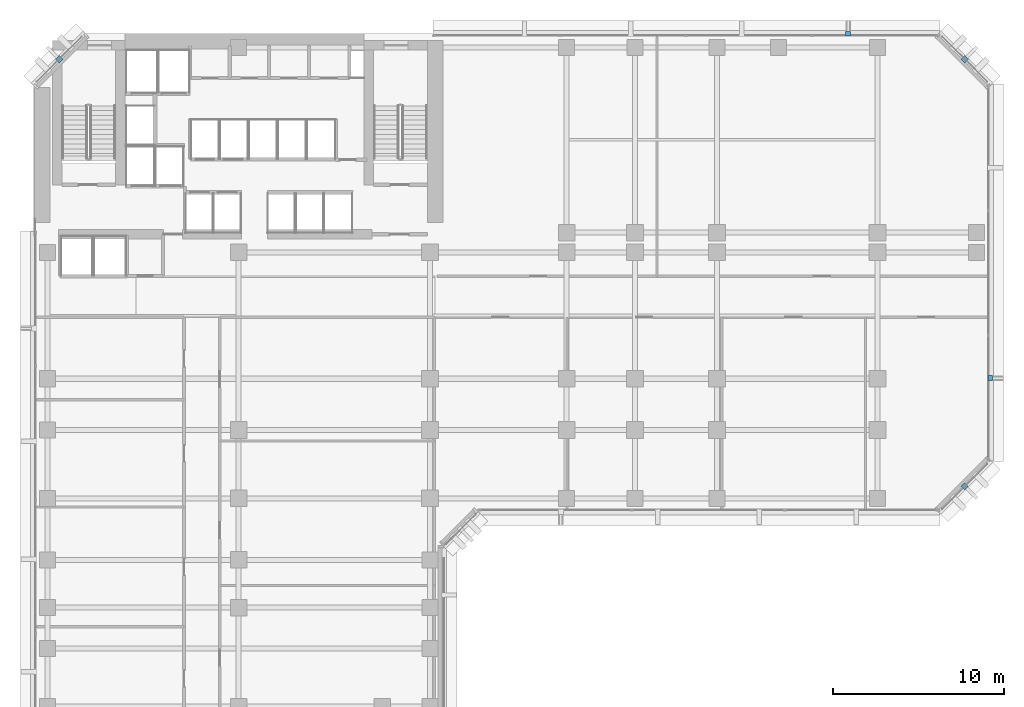
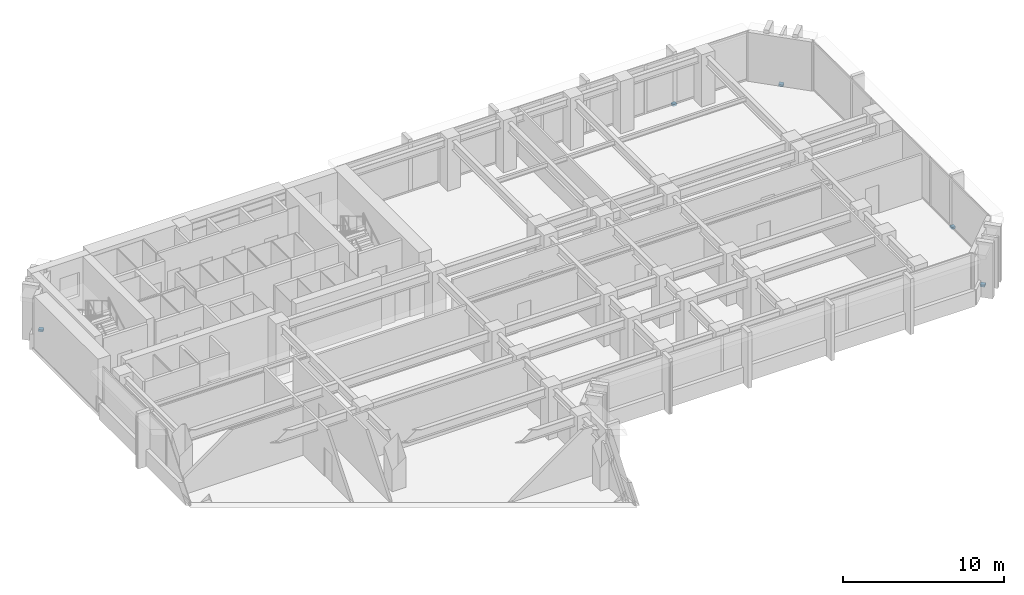
# One storey, part 9 of 14: 5 discrete accessories.
"""IFC4 building model written with IfcOpenShell, lengths in metres."""

from ifc_helpers import new_model, si_unit, direction, frame, origin, origin_2d, place, context, subcontext, project, spatial, rectangle, extrude, material, layer, layer_set, type_object, element, save


model = new_model("IFC4")

# Units and contexts
model_context = context("Model", 3, precision=1e-05, world=origin(), true_north=direction((0.0, 1.0)))
body_context = subcontext(model_context, "Body", "Model", "MODEL_VIEW")
ifc_project = project(units=[si_unit("LENGTHUNIT", "METRE"), si_unit("AREAUNIT", "SQUARE_METRE"), si_unit("VOLUMEUNIT", "CUBIC_METRE"), si_unit("PLANEANGLEUNIT", "RADIAN"), si_unit("MASSUNIT", "GRAM", prefix="KILO")], contexts=[model_context])

# Site, building, storey
site_placement = place(None, origin())
site = spatial("IfcSite", under=ifc_project, at=site_placement, CompositionType="ELEMENT")
building_placement = place(site_placement, origin())
building = spatial("IfcBuilding", under=site, at=building_placement, Name="Kefirva Bronze Tower", CompositionType="ELEMENT")
storey_placement = place(building_placement, frame((0.0, 0.0, 50.159912109375)))
storey = spatial("IfcBuildingStorey", under=building, at=storey_placement, Name="L11", CompositionType="ELEMENT", Elevation=50.159912109375)

# Discrete accessories
ifc_material = material(Name="Stainless steel 316", Category="steel")
ifc_layer = layer(ifc_material, 0.159912109375, Name="Stainless steel 316")
ifc_layer_set = layer_set([ifc_layer], Name="Stainless steel 316")
discrete_accessory_type = type_object("IfcDiscreteAccessoryType", Name="Stainless Facade Outrigger Bracket", PredefinedType="BRACKET", material=ifc_layer_set)
discrete_accessory_1_placement = place(storey_placement, frame((54.5, 19.5, -0.15966796875), z_axis=(0.0, 0.0, 1.0), x_axis=(0.707106781187, 0.707106781187, 0.0)))
element("IfcDiscreteAccessory", 1, at=discrete_accessory_1_placement, inside=storey, type_object=discrete_accessory_type, Name="L11 Corner Fin Outrigger Bracket 14", PredefinedType="BRACKET", context=body_context, shape_type="SweptSolid", body=[
    extrude(rectangle(XDim=0.300048828125, YDim=0.300048828125, at=origin_2d()), origin(), (0.0, 0.0, 1.0), 0.159912109375),
])
discrete_accessory_2_placement = place(storey_placement, frame((56.0, 25.840087890625, -0.15966796875), z_axis=(0.0, 0.0, 1.0), x_axis=(0.0, 1.0, 0.0)))
element("IfcDiscreteAccessory", 2, at=discrete_accessory_2_placement, inside=storey, type_object=discrete_accessory_type, Name="L11 Rib Outrigger Bracket 15", PredefinedType="BRACKET", context=body_context, shape_type="SweptSolid", body=[
    extrude(rectangle(XDim=0.280029296875, YDim=0.280029296875, at=origin_2d()), origin(), (0.0, 0.0, 1.0), 0.159912109375),
])
discrete_accessory_3_placement = place(storey_placement, frame((54.5, 44.5, -0.15966796875), z_axis=(0.0, 0.0, 1.0), x_axis=(-0.707106781187, 0.707106781187, 0.0)))
element("IfcDiscreteAccessory", 3, at=discrete_accessory_3_placement, inside=storey, type_object=discrete_accessory_type, Name="L11 Corner Fin Outrigger Bracket 18", PredefinedType="BRACKET", context=body_context, shape_type="SweptSolid", body=[
    extrude(rectangle(XDim=0.300048828125, YDim=0.300048828125, at=origin_2d()), origin(), (0.0, 0.0, 1.0), 0.159912109375),
])
discrete_accessory_4_placement = place(storey_placement, frame((47.6728515625, 46.0, -0.15966796875), z_axis=(0.0, 0.0, 1.0), x_axis=(-1.0, 0.0, 0.0)))
element("IfcDiscreteAccessory", 4, at=discrete_accessory_4_placement, inside=storey, type_object=discrete_accessory_type, Name="L11 Rib Outrigger Bracket 19", PredefinedType="BRACKET", context=body_context, shape_type="SweptSolid", body=[
    extrude(rectangle(XDim=0.280029296875, YDim=0.280029296875, at=origin_2d()), origin(), (0.0, 0.0, 1.0), 0.159912109375),
])
discrete_accessory_5_placement = place(storey_placement, frame((1.5, 44.5, -0.15966796875), z_axis=(0.0, 0.0, 1.0), x_axis=(-0.707106781187, -0.707106781187, 0.0)))
element("IfcDiscreteAccessory", 5, at=discrete_accessory_5_placement, inside=storey, type_object=discrete_accessory_type, Name="L11 Corner Fin Outrigger Bracket 24", PredefinedType="BRACKET", context=body_context, shape_type="SweptSolid", body=[
    extrude(rectangle(XDim=0.300048828125, YDim=0.300048828125, at=origin_2d()), origin(), (0.0, 0.0, 1.0), 0.159912109375),
])

save(model, "model.ifc")
